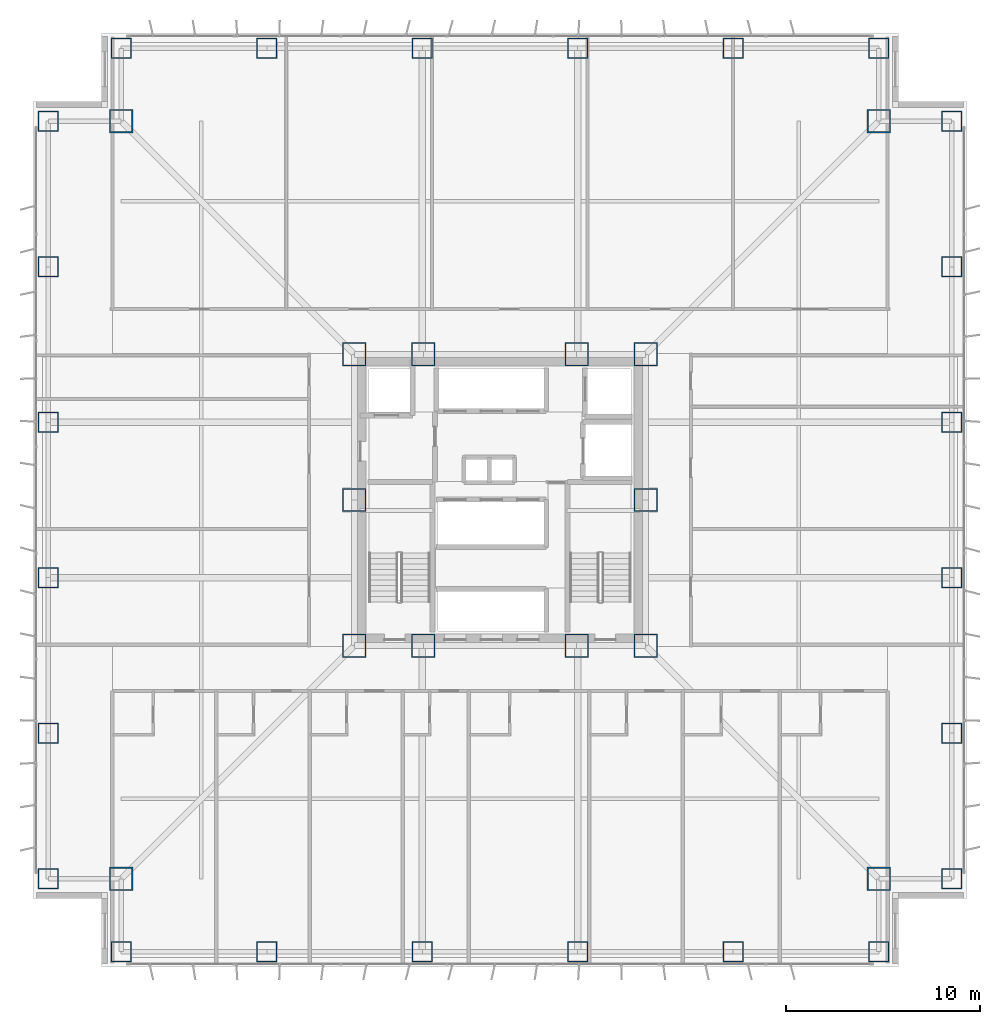
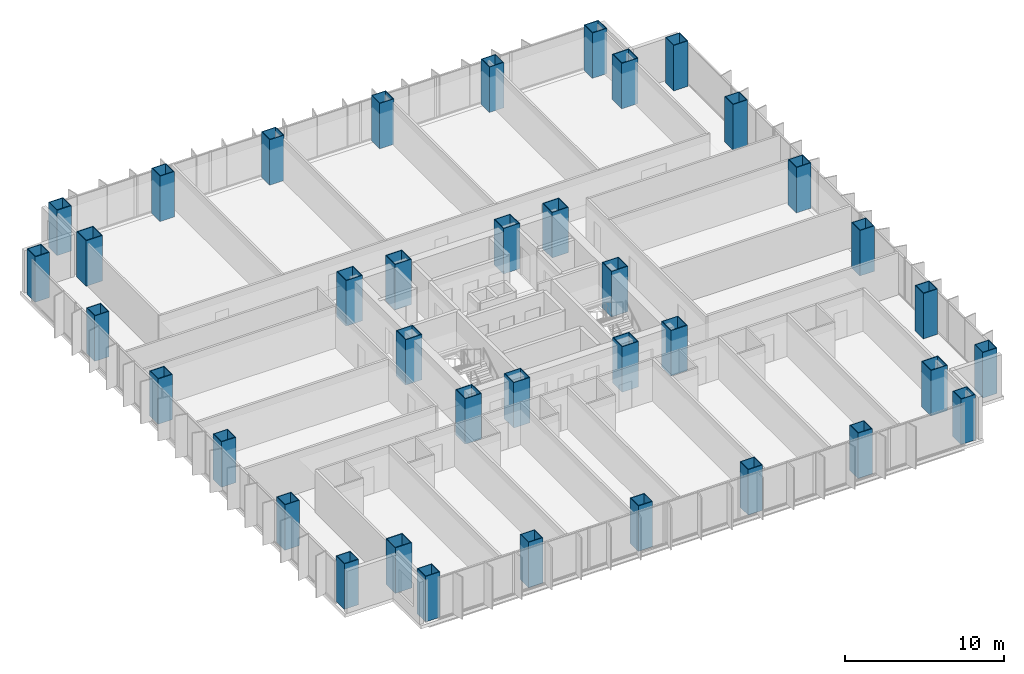
# One storey, part 1 of 19: 38 columns.
"""IFC4 building model written with IfcOpenShell, lengths in metres."""

from ifc_helpers import new_model, si_unit, direction, frame, origin, origin_2d, place, context, subcontext, project, spatial, hollow_rectangle, extrude, material, material_profile, profile_set, type_object, element, save


model = new_model("IFC4")

# Units and contexts
model_context = context("Model", 3, precision=1e-05, world=origin(), true_north=direction((0.0, 1.0)))
body_context = subcontext(model_context, "Body", "Model", "MODEL_VIEW")
ifc_project = project(units=[si_unit("LENGTHUNIT", "METRE"), si_unit("AREAUNIT", "SQUARE_METRE"), si_unit("VOLUMEUNIT", "CUBIC_METRE"), si_unit("PLANEANGLEUNIT", "RADIAN"), si_unit("MASSUNIT", "GRAM", prefix="KILO")], contexts=[model_context])

# Site, building, storey
site_placement = place(None, origin())
site = spatial("IfcSite", under=ifc_project, at=site_placement, CompositionType="ELEMENT")
building_placement = place(site_placement, origin())
building = spatial("IfcBuilding", under=site, at=building_placement, Name="Trevonay Congress Spire", CompositionType="ELEMENT")
storey_placement = place(building_placement, frame((0.0, 0.0, 58.5)))
storey = spatial("IfcBuildingStorey", under=building, at=storey_placement, Name="L14", CompositionType="ELEMENT", Elevation=58.5)

# Columns
ifc_material = material(Name="Steel ASTM A572 Grade 50", Category="steel")
ifc_material_profile_1 = material_profile(ifc_material, hollow_rectangle(XDim=1.199951171875, YDim=1.199951171875, WallThickness=0.054931640625, at=origin_2d()), Name="BOX 1200x1200x55")
ifc_profile_set_1 = profile_set([ifc_material_profile_1], Name="Steel ASTM A572 Grade 50")
column_type_1 = type_object("IfcColumnType", Name="COL-CORE-BOX1200", PredefinedType="COLUMN", material=ifc_profile_set_1)
for number, where, z_axis, x_axis, name in (
    (1, (-7.5, -7.5, 0.0), (0.0, 0.0, 1.0), (1.0, 0.0, 0.0), "L14 column C02 at CC-SW"),
    (2, (-3.949951171875, -7.5, 0.0), (0.0, 0.0, 1.0), (1.0, 0.0, 0.0), "L14 column C02 at CC-SMW"),
    (3, (3.949951171875, -7.5, 0.0), (0.0, 0.0, 1.0), (1.0, 0.0, 0.0), "L14 column C02 at CC-SME"),
    (4, (7.5, -7.5, 0.0), (0.0, 0.0, 1.0), (1.0, 0.0, 0.0), "L14 column C02 at CC-SE"),
    (5, (7.5, 0.0, 0.0), (0.0, 0.0, 1.0), (1.0, 0.0, 0.0), "L14 column C02 at CC-E"),
    (6, (7.5, 7.5, 0.0), (0.0, 0.0, 1.0), (1.0, 0.0, 0.0), "L14 column C02 at CC-NE"),
    (7, (3.949951171875, 7.5, 0.0), (0.0, 0.0, 1.0), (1.0, 0.0, 0.0), "L14 column C02 at CC-NME"),
    (8, (-3.949951171875, 7.5, 0.0), (0.0, 0.0, 1.0), (1.0, 0.0, 0.0), "L14 column C02 at CC-NMW"),
    (9, (-7.5, 7.5, 0.0), (0.0, 0.0, 1.0), (1.0, 0.0, 0.0), "L14 column C02 at CC-NW"),
    (10, (-7.5, 0.0, 0.0), (0.0, 0.0, 1.0), (1.0, 0.0, 0.0), "L14 column C02 at CC-W"),
):
    element("IfcColumn", number, at=place(storey_placement, frame(where, z_axis=z_axis, x_axis=x_axis)), inside=storey, type_object=column_type_1, Name=name, PredefinedType="COLUMN", context=body_context, shape_type="SweptSolid", body=[
        extrude(hollow_rectangle(XDim=1.199951171875, YDim=1.199951171875, WallThickness=0.054931640625, at=origin_2d()), origin(), (0.0, 0.0, 1.0), 3.5),
    ])
ifc_material_profile_2 = material_profile(ifc_material, hollow_rectangle(XDim=1.199951171875, YDim=1.199951171875, WallThickness=0.054931640625, at=origin_2d()), Name="BOX 1200x1200x55")
ifc_profile_set_2 = profile_set([ifc_material_profile_2], Name="Steel ASTM A572 Grade 50")
column_type_2 = type_object("IfcColumnType", Name="COL-NOTCH-BOX1200", PredefinedType="COLUMN", material=ifc_profile_set_2)
for number, where, z_axis, x_axis, name in (
    (11, (-19.5, -19.5, 0.0), (0.0, 0.0, 1.0), (1.0, 0.0, 0.0), "L14 column C19 at NC-SW"),
    (12, (19.5, -19.5, 0.0), (0.0, 0.0, 1.0), (1.0, 0.0, 0.0), "L14 column C19 at NC-SE"),
    (13, (19.5, 19.5, 0.0), (0.0, 0.0, 1.0), (1.0, 0.0, 0.0), "L14 column C19 at NC-NE"),
    (14, (-19.5, 19.5, 0.0), (0.0, 0.0, 1.0), (1.0, 0.0, 0.0), "L14 column C19 at NC-NW"),
):
    element("IfcColumn", number, at=place(storey_placement, frame(where, z_axis=z_axis, x_axis=x_axis)), inside=storey, type_object=column_type_2, Name=name, PredefinedType="COLUMN", context=body_context, shape_type="SweptSolid", body=[
        extrude(hollow_rectangle(XDim=1.199951171875, YDim=1.199951171875, WallThickness=0.054931640625, at=origin_2d()), origin(), (0.0, 0.0, 1.0), 3.5),
    ])
ifc_material_profile_3 = material_profile(ifc_material, hollow_rectangle(XDim=1.050048828125, YDim=1.050048828125, WallThickness=0.050048828125, at=origin_2d()), Name="BOX 1050x1050x50")
ifc_profile_set_3 = profile_set([ifc_material_profile_3], Name="Steel ASTM A572 Grade 50")
column_type_3 = type_object("IfcColumnType", Name="COL-TUBE-BOX1050", PredefinedType="COLUMN", material=ifc_profile_set_3)
for number, where, z_axis, x_axis, name in (
    (15, (-19.5, -23.25, 0.0), (0.0, 0.0, 1.0), (1.0, 0.0, 0.0), "L14 column C14 at TS-1"),
    (16, (-19.5, 23.25, 0.0), (0.0, 0.0, 1.0), (1.0, 0.0, 0.0), "L14 column C14 at TN-1"),
    (17, (-23.25, -19.5, 0.0), (0.0, 0.0, 1.0), (1.0, 0.0, 0.0), "L14 column C14 at TW-1"),
    (18, (23.25, -19.5, 0.0), (0.0, 0.0, 1.0), (1.0, 0.0, 0.0), "L14 column C14 at TE-1"),
    (19, (-12.0, -23.25, 0.0), (0.0, 0.0, 1.0), (1.0, 0.0, 0.0), "L14 column C14 at TS-2"),
    (20, (-12.0, 23.25, 0.0), (0.0, 0.0, 1.0), (1.0, 0.0, 0.0), "L14 column C14 at TN-2"),
    (21, (-23.25, -12.0, 0.0), (0.0, 0.0, 1.0), (1.0, 0.0, 0.0), "L14 column C14 at TW-2"),
    (22, (23.25, -12.0, 0.0), (0.0, 0.0, 1.0), (1.0, 0.0, 0.0), "L14 column C14 at TE-2"),
    (23, (-4.0, -23.25, 0.0), (0.0, 0.0, 1.0), (1.0, 0.0, 0.0), "L14 column C14 at TS-3"),
    (24, (-4.0, 23.25, 0.0), (0.0, 0.0, 1.0), (1.0, 0.0, 0.0), "L14 column C14 at TN-3"),
    (25, (-23.25, -4.0, 0.0), (0.0, 0.0, 1.0), (1.0, 0.0, 0.0), "L14 column C14 at TW-3"),
    (26, (23.25, -4.0, 0.0), (0.0, 0.0, 1.0), (1.0, 0.0, 0.0), "L14 column C14 at TE-3"),
    (27, (4.0, -23.25, 0.0), (0.0, 0.0, 1.0), (1.0, 0.0, 0.0), "L14 column C14 at TS-4"),
    (28, (4.0, 23.25, 0.0), (0.0, 0.0, 1.0), (1.0, 0.0, 0.0), "L14 column C14 at TN-4"),
    (29, (-23.25, 4.0, 0.0), (0.0, 0.0, 1.0), (1.0, 0.0, 0.0), "L14 column C14 at TW-4"),
    (30, (23.25, 4.0, 0.0), (0.0, 0.0, 1.0), (1.0, 0.0, 0.0), "L14 column C14 at TE-4"),
    (31, (12.0, -23.25, 0.0), (0.0, 0.0, 1.0), (1.0, 0.0, 0.0), "L14 column C14 at TS-5"),
    (32, (12.0, 23.25, 0.0), (0.0, 0.0, 1.0), (1.0, 0.0, 0.0), "L14 column C14 at TN-5"),
    (33, (-23.25, 12.0, 0.0), (0.0, 0.0, 1.0), (1.0, 0.0, 0.0), "L14 column C14 at TW-5"),
    (34, (23.25, 12.0, 0.0), (0.0, 0.0, 1.0), (1.0, 0.0, 0.0), "L14 column C14 at TE-5"),
    (35, (19.5, -23.25, 0.0), (0.0, 0.0, 1.0), (1.0, 0.0, 0.0), "L14 column C14 at TS-6"),
    (36, (19.5, 23.25, 0.0), (0.0, 0.0, 1.0), (1.0, 0.0, 0.0), "L14 column C14 at TN-6"),
    (37, (-23.25, 19.5, 0.0), (0.0, 0.0, 1.0), (1.0, 0.0, 0.0), "L14 column C14 at TW-6"),
    (38, (23.25, 19.5, 0.0), (0.0, 0.0, 1.0), (1.0, 0.0, 0.0), "L14 column C14 at TE-6"),
):
    element("IfcColumn", number, at=place(storey_placement, frame(where, z_axis=z_axis, x_axis=x_axis)), inside=storey, type_object=column_type_3, Name=name, PredefinedType="COLUMN", context=body_context, shape_type="SweptSolid", body=[
        extrude(hollow_rectangle(XDim=1.050048828125, YDim=1.050048828125, WallThickness=0.050048828125, at=origin_2d()), origin(), (0.0, 0.0, 1.0), 3.5),
    ])

save(model, "model.ifc")
